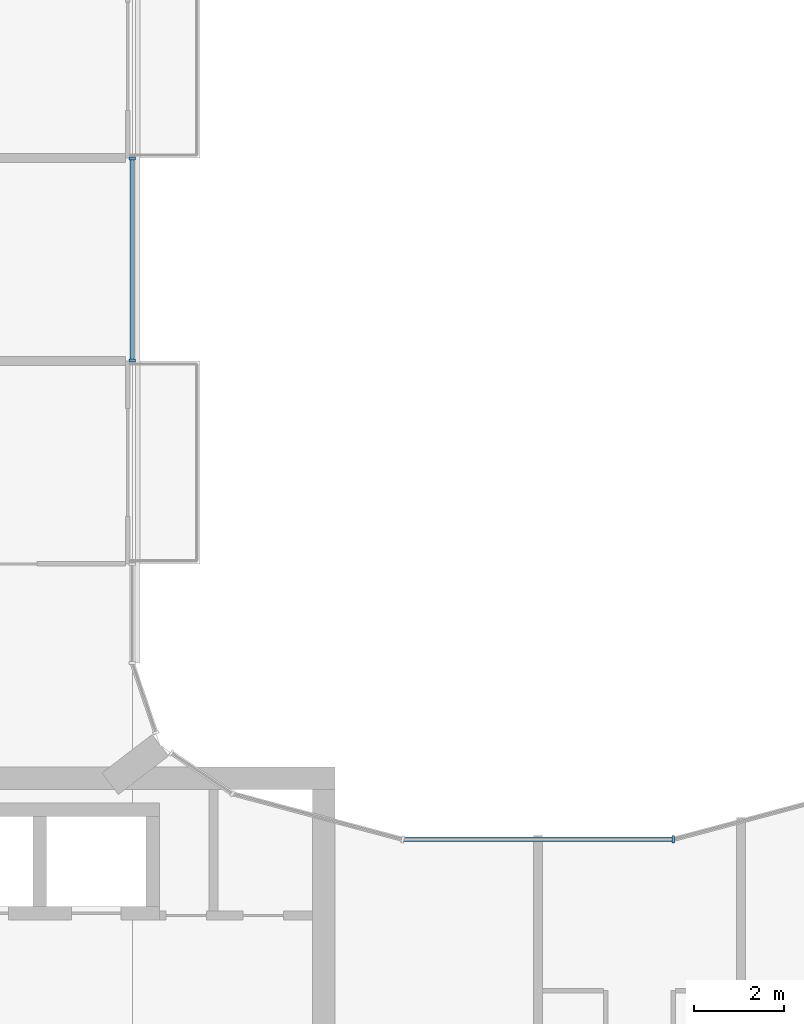
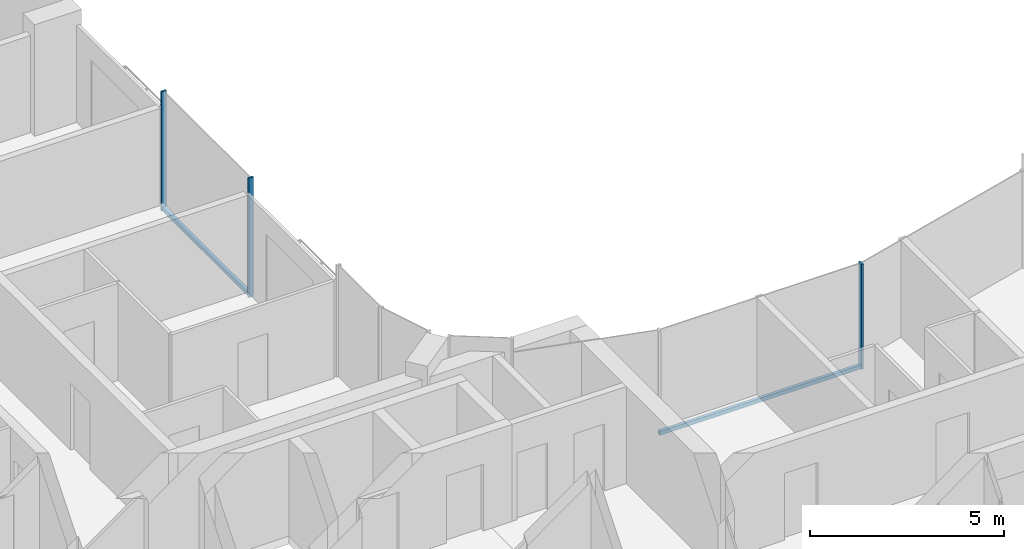
# One storey, part 5 of 17: 5 members, 2 elements without a shape of their own.
"""IFC4 building model written with IfcOpenShell, lengths in metres."""

from ifc_helpers import new_model, si_unit, direction, frame, origin, origin_2d, place, context, subcontext, project, spatial, rectangle, extrude, material, layer, layer_set, material_profile, profile_set, type_object, element, aggregate, save


model = new_model("IFC4")

# Units and contexts
model_context = context("Model", 3, precision=1e-05, world=origin(), true_north=direction((0.0, 1.0)))
body_context = subcontext(model_context, "Body", "Model", "MODEL_VIEW")
ifc_project = project(units=[si_unit("LENGTHUNIT", "METRE"), si_unit("AREAUNIT", "SQUARE_METRE"), si_unit("VOLUMEUNIT", "CUBIC_METRE"), si_unit("PLANEANGLEUNIT", "RADIAN"), si_unit("MASSUNIT", "GRAM", prefix="KILO")], contexts=[model_context])

# Site, building, storey
site_placement = place(None, origin())
site = spatial("IfcSite", under=ifc_project, at=site_placement, CompositionType="ELEMENT")
building_placement = place(site_placement, origin())
building = spatial("IfcBuilding", under=site, at=building_placement, Name="Plateau Cross Towers", CompositionType="ELEMENT")
storey_placement = place(building_placement, frame((0.0, 0.0, 225.89990234375)))
storey = spatial("IfcBuildingStorey", under=building, at=storey_placement, Name="L59", CompositionType="ELEMENT", Elevation=225.89990234375)

# Curtain wall, members
ifc_material_1 = material(Name="Dark low-iron glass", Category="glass")
ifc_layer_1 = layer(ifc_material_1, 0.239990234375)
ifc_layer_set_1 = layer_set([ifc_layer_1], Name="Dark low-iron glass")
curtain_wall_type_1 = type_object("IfcCurtainWallType", Name="Curtain wall flush unitised CW-B", PredefinedType="NOTDEFINED", material=ifc_layer_set_1)
curtain_wall_1_placement = place(storey_placement, origin())
curtain_wall_1 = element("IfcCurtainWall", 1, at=curtain_wall_1_placement, inside=storey, type_object=curtain_wall_type_1, Name="ENV/A/L59/A180_270", PredefinedType="NOTDEFINED")
ifc_material_2 = material(Name="Black anodised aluminium", Category="aluminium")
ifc_material_profile_1 = material_profile(ifc_material_2, rectangle(XDim=0.06005859375, YDim=0.139892578125, at=origin_2d()), Name="MULLION 60x140")
ifc_profile_set_1 = profile_set([ifc_material_profile_1], Name="Black anodised aluminium")
member_type_1 = type_object("IfcMemberType", Name="Mullion 60x140 flush unitised", PredefinedType="MULLION", material=ifc_profile_set_1)
member_1_placement = place(storey_placement, frame((18.0, 27.010009765625, -0.25), z_axis=(0.0, 0.0, 1.0), x_axis=(0.0, 1.0, 0.0)))
member_1 = element("IfcMember", 2, at=member_1_placement, type_object=member_type_1, Name="CW-B mullion 1", PredefinedType="MULLION", context=body_context, shape_type="SweptSolid", body=[
    extrude(rectangle(XDim=0.06005859375, YDim=0.139892578125, at=origin_2d()), origin(), (0.0, 0.0, 1.0), 3.75),
])
member_2_placement = place(storey_placement, frame((18.0, 31.489990234375, -0.25), z_axis=(0.0, 0.0, 1.0), x_axis=(0.0, 1.0, 0.0)))
member_2 = element("IfcMember", 3, at=member_2_placement, type_object=member_type_1, Name="CW-B mullion 2", PredefinedType="MULLION", context=body_context, shape_type="SweptSolid", body=[
    extrude(rectangle(XDim=0.06005859375, YDim=0.139892578125, at=origin_2d()), origin(), (0.0, 0.0, 1.0), 3.75),
])

# Curtain wall, member
ifc_layer_2 = layer(ifc_material_1, 0.260009765625)
ifc_layer_set_2 = layer_set([ifc_layer_2], Name="Dark low-iron glass")
curtain_wall_type_2 = type_object("IfcCurtainWallType", Name="Curtain wall fluted unitised CW-A", PredefinedType="NOTDEFINED", material=ifc_layer_set_2)
curtain_wall_2_placement = place(storey_placement, origin())
curtain_wall_2 = element("IfcCurtainWall", 4, at=curtain_wall_2_placement, inside=storey, type_object=curtain_wall_type_2, Name="ENV/A/L59/A300_164", PredefinedType="NOTDEFINED")
ifc_material_profile_2 = material_profile(ifc_material_2, rectangle(XDim=0.06005859375, YDim=0.159912109375, at=origin_2d()), Name="MULLION 60x160")
ifc_profile_set_2 = profile_set([ifc_material_profile_2], Name="Black anodised aluminium")
member_type_2 = type_object("IfcMemberType", Name="Mullion 60x160 fluted unitised", PredefinedType="MULLION", material=ifc_profile_set_2)
member_3_placement = place(storey_placement, frame((30.0, 16.39306640625, -0.25), z_axis=(0.0, 0.0, 1.0), x_axis=(-1.0, 0.0, 0.0)))
member_3 = element("IfcMember", 5, at=member_3_placement, type_object=member_type_2, Name="CW-A mullion 1", PredefinedType="MULLION", context=body_context, shape_type="SweptSolid", body=[
    extrude(rectangle(XDim=0.06005859375, YDim=0.159912109375, at=origin_2d()), origin(), (0.0, 0.0, 1.0), 3.300048828125),
])

# Member
ifc_material_profile_3 = material_profile(ifc_material_2, rectangle(XDim=0.10009765625, YDim=0.1201171875, at=origin_2d()), Name="TRANSOM 100x120")
ifc_profile_set_3 = profile_set([ifc_material_profile_3], Name="Black anodised aluminium")
member_type_3 = type_object("IfcMemberType", Name="Transom 100x120 flush unitised", PredefinedType="USERDEFINED", material=ifc_profile_set_3)
member_4_placement = place(storey_placement, frame((18.0, 27.010009765625, -0.18994140625), z_axis=(0.0, 1.0, 0.0), x_axis=(-1.0, 0.0, 0.0)))
member_4 = element("IfcMember", 6, at=member_4_placement, type_object=member_type_3, Name="CW-B transom", ObjectType="TRANSOM", PredefinedType="USERDEFINED", context=body_context, shape_type="SweptSolid", body=[
    extrude(rectangle(XDim=0.10009765625, YDim=0.1201171875, at=origin_2d()), origin(), (0.0, 0.0, 1.0), 4.47998046875),
])

aggregate(curtain_wall_1, [member_1, member_2, member_4])

ifc_material_profile_4 = material_profile(ifc_material_2, rectangle(XDim=0.10009765625, YDim=0.1201171875, at=origin_2d()), Name="TRANSOM 100x120")
ifc_profile_set_4 = profile_set([ifc_material_profile_4], Name="Black anodised aluminium")
member_type_4 = type_object("IfcMemberType", Name="Transom 100x120 fluted unitised", PredefinedType="USERDEFINED", material=ifc_profile_set_4)
member_5_placement = place(storey_placement, frame((30.0, 16.39306640625, -0.18994140625), z_axis=(-1.0, 0.0, 0.0), x_axis=(0.0, -1.0, 0.0)))
member_5 = element("IfcMember", 7, at=member_5_placement, type_object=member_type_4, Name="CW-A transom", ObjectType="TRANSOM", PredefinedType="USERDEFINED", context=body_context, shape_type="SweptSolid", body=[
    extrude(rectangle(XDim=0.10009765625, YDim=0.1201171875, at=origin_2d()), origin(), (0.0, 0.0, 1.0), 6.0),
])

aggregate(curtain_wall_2, [member_3, member_5])

save(model, "model.ifc")
